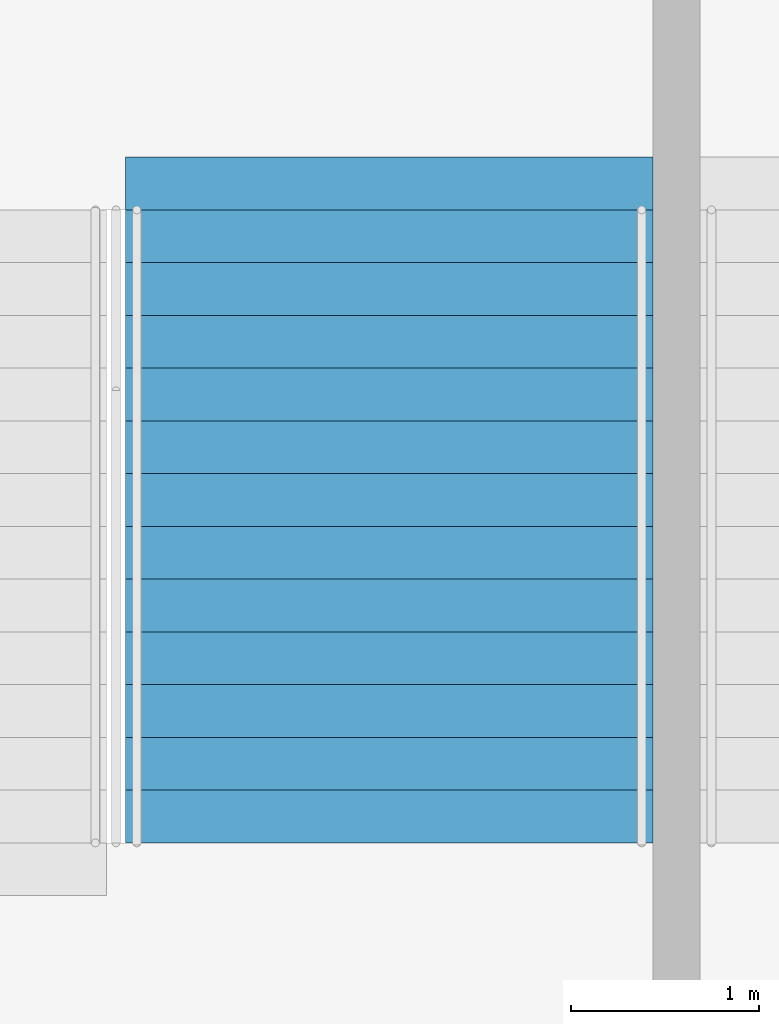
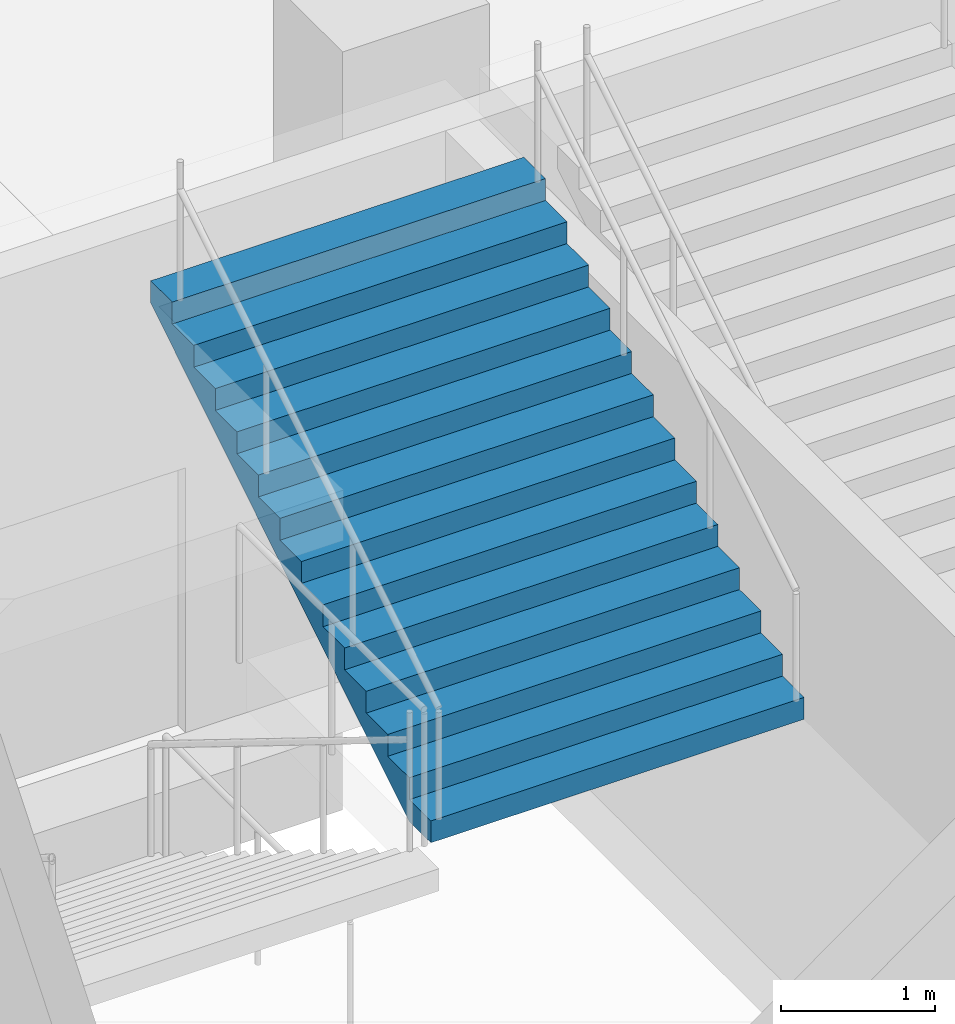
# One storey, part 121 of 199: 1 stair flight, 1 element without a shape of its own.
"""IFC4 building model written with IfcOpenShell, lengths in metres."""

from ifc_helpers import new_model, si_unit, direction, frame, origin, place, context, subcontext, project, spatial, faceted_brep, material, type_object, element, aggregate, save


model = new_model("IFC4")

# Units and contexts
model_context = context("Model", 3, precision=1e-05, world=origin(), true_north=direction((0.0, 1.0)))
body_context = subcontext(model_context, "Body", "Model", "MODEL_VIEW")
ifc_project = project(units=[si_unit("LENGTHUNIT", "METRE"), si_unit("AREAUNIT", "SQUARE_METRE"), si_unit("VOLUMEUNIT", "CUBIC_METRE"), si_unit("PLANEANGLEUNIT", "RADIAN"), si_unit("MASSUNIT", "GRAM", prefix="KILO")], contexts=[model_context])

# Site, building, storey
site_placement = place(None, origin())
site = spatial("IfcSite", under=ifc_project, at=site_placement, CompositionType="ELEMENT")
building_placement = place(site_placement, origin())
building = spatial("IfcBuilding", under=site, at=building_placement, Name="Ogive Plaza Stadium", CompositionType="ELEMENT")
storey_placement = place(building_placement, frame((0.0, 0.0, 4.5)))
storey = spatial("IfcBuildingStorey", under=building, at=storey_placement, Name="L01", CompositionType="ELEMENT", Elevation=4.5)

# Stair, stair flight
ifc_material_1 = material(Name="Concrete C40/50", Category="concrete")
stair_type = type_object("IfcStairType", Name="Exit stair", PredefinedType="STRAIGHT_RUN_STAIR", material=ifc_material_1)
stair_placement = place(storey_placement, origin())
stair = element("IfcStair", 1, at=stair_placement, inside=storey, type_object=stair_type, Name="Exit stair ST14A L01 to L02", PredefinedType="STRAIGHT_RUN_STAIR")
ifc_material_2 = material(Name="Concrete C40/50", Category="concrete")
stair_flight_type = type_object("IfcStairFlightType", Name="Exit stair flight", PredefinedType="STRAIGHT", material=ifc_material_2)
stair_flight_placement = place(storey_placement, frame((5.27490234375, -98.2099609375, 2.25), z_axis=(0.0, 0.0, 1.0), x_axis=(0.0, 1.0, 0.0)))
stair_flight = element("IfcStairFlight", 2, at=stair_flight_placement, type_object=stair_flight_type, Name="ST14A flight 2", NumberOfRisers=13, NumberOfTreads=12, PredefinedType="STRAIGHT", RiserHeight=0.173076923, TreadLength=0.28, context=body_context, shape_type="Brep", body=[
    faceted_brep([(0.28515625, -1.39990234375, 0.0), (3.639892578125, -1.39990234375, 2.07373046875), (3.639892578125, -1.39990234375, 2.25), (3.360107421875, -1.39990234375, 2.25), (3.360107421875, -1.39990234375, 2.076904296875), (3.080078125, -1.39990234375, 2.076904296875), (3.080078125, -1.39990234375, 1.90380859375), (2.800048828125, -1.39990234375, 1.90380859375), (2.800048828125, -1.39990234375, 1.730712890625), (2.52001953125, -1.39990234375, 1.730712890625), (2.52001953125, -1.39990234375, 1.5576171875), (2.239990234375, -1.39990234375, 1.5576171875), (2.239990234375, -1.39990234375, 1.384521484375), (1.9599609375, -1.39990234375, 1.384521484375), (1.9599609375, -1.39990234375, 1.21142578125), (1.679931640625, -1.39990234375, 1.21142578125), (1.679931640625, -1.39990234375, 1.03857421875), (1.39990234375, -1.39990234375, 1.03857421875), (1.39990234375, -1.39990234375, 0.865478515625), (1.1201171875, -1.39990234375, 0.865478515625), (1.1201171875, -1.39990234375, 0.6923828125), (0.840087890625, -1.39990234375, 0.6923828125), (0.840087890625, -1.39990234375, 0.519287109375), (0.56005859375, -1.39990234375, 0.519287109375), (0.56005859375, -1.39990234375, 0.34619140625), (0.280029296875, -1.39990234375, 0.34619140625), (0.280029296875, -1.39990234375, 0.173095703125), (0.0, -1.39990234375, 0.173095703125), (0.0, -1.39990234375, 0.0), (0.0, 1.39990234375, 0.0), (0.0, 1.39990234375, 0.173095703125), (0.280029296875, 1.39990234375, 0.173095703125), (0.280029296875, 1.39990234375, 0.34619140625), (0.56005859375, 1.39990234375, 0.34619140625), (0.56005859375, 1.39990234375, 0.519287109375), (0.840087890625, 1.39990234375, 0.519287109375), (0.840087890625, 1.39990234375, 0.6923828125), (1.1201171875, 1.39990234375, 0.6923828125), (1.1201171875, 1.39990234375, 0.865478515625), (1.39990234375, 1.39990234375, 0.865478515625), (1.39990234375, 1.39990234375, 1.03857421875), (1.679931640625, 1.39990234375, 1.03857421875), (1.679931640625, 1.39990234375, 1.21142578125), (1.9599609375, 1.39990234375, 1.21142578125), (1.9599609375, 1.39990234375, 1.384521484375), (2.239990234375, 1.39990234375, 1.384521484375), (2.239990234375, 1.39990234375, 1.5576171875), (2.52001953125, 1.39990234375, 1.5576171875), (2.52001953125, 1.39990234375, 1.730712890625), (2.800048828125, 1.39990234375, 1.730712890625), (2.800048828125, 1.39990234375, 1.90380859375), (3.080078125, 1.39990234375, 1.90380859375), (3.080078125, 1.39990234375, 2.076904296875), (3.360107421875, 1.39990234375, 2.076904296875), (3.360107421875, 1.39990234375, 2.25), (3.639892578125, 1.39990234375, 2.25), (3.639892578125, 1.39990234375, 2.07373046875), (0.28515625, 1.39990234375, 0.0), (0.28515625, -1.0888671875, 0.0), (3.639892578125, -1.0888671875, 2.07373046875), (0.28515625, -0.77783203125, 0.0), (3.639892578125, -0.77783203125, 2.07373046875), (0.28515625, -0.466796875, 0.0), (3.639892578125, -0.466796875, 2.07373046875), (0.28515625, -0.155517578125, 0.0), (3.639892578125, -0.155517578125, 2.07373046875), (0.28515625, 0.155517578125, 0.0), (3.639892578125, 0.155517578125, 2.07373046875), (0.28515625, 0.466796875, 0.0), (3.639892578125, 0.466796875, 2.07373046875), (0.28515625, 0.77783203125, 0.0), (3.639892578125, 0.77783203125, 2.07373046875), (0.28515625, 1.0888671875, 0.0), (3.639892578125, 1.0888671875, 2.07373046875), (3.639892578125, -1.0888671875, 2.25), (3.639892578125, -0.77783203125, 2.25), (3.639892578125, -0.466796875, 2.25), (3.639892578125, -0.155517578125, 2.25), (3.639892578125, 0.155517578125, 2.25), (3.639892578125, 0.466796875, 2.25), (3.639892578125, 0.77783203125, 2.25), (3.639892578125, 1.0888671875, 2.25), (3.360107421875, -1.0888671875, 2.25), (3.360107421875, -0.77783203125, 2.25), (3.360107421875, -0.466796875, 2.25), (3.360107421875, -0.155517578125, 2.25), (3.360107421875, 0.155517578125, 2.25), (3.360107421875, 0.466796875, 2.25), (3.360107421875, 0.77783203125, 2.25), (3.360107421875, 1.0888671875, 2.25), (3.360107421875, -1.0888671875, 2.076904296875), (3.360107421875, -0.77783203125, 2.076904296875), (3.360107421875, -0.466796875, 2.076904296875), (3.360107421875, -0.155517578125, 2.076904296875), (3.360107421875, 0.155517578125, 2.076904296875), (3.360107421875, 0.466796875, 2.076904296875), (3.360107421875, 0.77783203125, 2.076904296875), (3.360107421875, 1.0888671875, 2.076904296875), (3.080078125, -1.0888671875, 2.076904296875), (3.080078125, -0.77783203125, 2.076904296875), (3.080078125, -0.466796875, 2.076904296875), (3.080078125, -0.155517578125, 2.076904296875), (3.080078125, 0.155517578125, 2.076904296875), (3.080078125, 0.466796875, 2.076904296875), (3.080078125, 0.77783203125, 2.076904296875), (3.080078125, 1.0888671875, 2.076904296875), (3.080078125, -1.0888671875, 1.90380859375), (3.080078125, -0.77783203125, 1.90380859375), (3.080078125, -0.466796875, 1.90380859375), (3.080078125, -0.155517578125, 1.90380859375), (3.080078125, 0.155517578125, 1.90380859375), (3.080078125, 0.466796875, 1.90380859375), (3.080078125, 0.77783203125, 1.90380859375), (3.080078125, 1.0888671875, 1.90380859375), (2.800048828125, -1.0888671875, 1.90380859375), (2.800048828125, -0.77783203125, 1.90380859375), (2.800048828125, -0.466796875, 1.90380859375), (2.800048828125, -0.155517578125, 1.90380859375), (2.800048828125, 0.155517578125, 1.90380859375), (2.800048828125, 0.466796875, 1.90380859375), (2.800048828125, 0.77783203125, 1.90380859375), (2.800048828125, 1.0888671875, 1.90380859375), (2.800048828125, -1.0888671875, 1.730712890625), (2.800048828125, -0.77783203125, 1.730712890625), (2.800048828125, -0.466796875, 1.730712890625), (2.800048828125, -0.155517578125, 1.730712890625), (2.800048828125, 0.155517578125, 1.730712890625), (2.800048828125, 0.466796875, 1.730712890625), (2.800048828125, 0.77783203125, 1.730712890625), (2.800048828125, 1.0888671875, 1.730712890625), (2.52001953125, -1.0888671875, 1.730712890625), (2.52001953125, -0.77783203125, 1.730712890625), (2.52001953125, -0.466796875, 1.730712890625), (2.52001953125, -0.155517578125, 1.730712890625), (2.52001953125, 0.155517578125, 1.730712890625), (2.52001953125, 0.466796875, 1.730712890625), (2.52001953125, 0.77783203125, 1.730712890625), (2.52001953125, 1.0888671875, 1.730712890625), (2.52001953125, -1.0888671875, 1.5576171875), (2.52001953125, -0.77783203125, 1.5576171875), (2.52001953125, -0.466796875, 1.5576171875), (2.52001953125, -0.155517578125, 1.5576171875), (2.52001953125, 0.155517578125, 1.5576171875), (2.52001953125, 0.466796875, 1.5576171875), (2.52001953125, 0.77783203125, 1.5576171875), (2.52001953125, 1.0888671875, 1.5576171875), (2.239990234375, -1.0888671875, 1.5576171875), (2.239990234375, -0.77783203125, 1.5576171875), (2.239990234375, -0.466796875, 1.5576171875), (2.239990234375, -0.155517578125, 1.5576171875), (2.239990234375, 0.155517578125, 1.5576171875), (2.239990234375, 0.466796875, 1.5576171875), (2.239990234375, 0.77783203125, 1.5576171875), (2.239990234375, 1.0888671875, 1.5576171875), (2.239990234375, -1.0888671875, 1.384521484375), (2.239990234375, -0.77783203125, 1.384521484375), (2.239990234375, -0.466796875, 1.384521484375), (2.239990234375, -0.155517578125, 1.384521484375), (2.239990234375, 0.155517578125, 1.384521484375), (2.239990234375, 0.466796875, 1.384521484375), (2.239990234375, 0.77783203125, 1.384521484375), (2.239990234375, 1.0888671875, 1.384521484375), (1.9599609375, -1.0888671875, 1.384521484375), (1.9599609375, -0.77783203125, 1.384521484375), (1.9599609375, -0.466796875, 1.384521484375), (1.9599609375, -0.155517578125, 1.384521484375), (1.9599609375, 0.155517578125, 1.384521484375), (1.9599609375, 0.466796875, 1.384521484375), (1.9599609375, 0.77783203125, 1.384521484375), (1.9599609375, 1.0888671875, 1.384521484375), (1.9599609375, -1.0888671875, 1.21142578125), (1.9599609375, -0.77783203125, 1.21142578125), (1.9599609375, -0.466796875, 1.21142578125), (1.9599609375, -0.155517578125, 1.21142578125), (1.9599609375, 0.155517578125, 1.21142578125), (1.9599609375, 0.466796875, 1.21142578125), (1.9599609375, 0.77783203125, 1.21142578125), (1.9599609375, 1.0888671875, 1.21142578125), (1.679931640625, -1.0888671875, 1.21142578125), (1.679931640625, -0.77783203125, 1.21142578125), (1.679931640625, -0.466796875, 1.21142578125), (1.679931640625, -0.155517578125, 1.21142578125), (1.679931640625, 0.155517578125, 1.21142578125), (1.679931640625, 0.466796875, 1.21142578125), (1.679931640625, 0.77783203125, 1.21142578125), (1.679931640625, 1.0888671875, 1.21142578125), (1.679931640625, -1.0888671875, 1.03857421875), (1.679931640625, -0.77783203125, 1.03857421875), (1.679931640625, -0.466796875, 1.03857421875), (1.679931640625, -0.155517578125, 1.03857421875), (1.679931640625, 0.155517578125, 1.03857421875), (1.679931640625, 0.466796875, 1.03857421875), (1.679931640625, 0.77783203125, 1.03857421875), (1.679931640625, 1.0888671875, 1.03857421875), (1.39990234375, -1.0888671875, 1.03857421875), (1.39990234375, -0.77783203125, 1.03857421875), (1.39990234375, -0.466796875, 1.03857421875), (1.39990234375, -0.155517578125, 1.03857421875), (1.39990234375, 0.155517578125, 1.03857421875), (1.39990234375, 0.466796875, 1.03857421875), (1.39990234375, 0.77783203125, 1.03857421875), (1.39990234375, 1.0888671875, 1.03857421875), (1.39990234375, -1.0888671875, 0.865478515625), (1.39990234375, -0.77783203125, 0.865478515625), (1.39990234375, -0.466796875, 0.865478515625), (1.39990234375, -0.155517578125, 0.865478515625), (1.39990234375, 0.155517578125, 0.865478515625), (1.39990234375, 0.466796875, 0.865478515625), (1.39990234375, 0.77783203125, 0.865478515625), (1.39990234375, 1.0888671875, 0.865478515625), (1.1201171875, -1.0888671875, 0.865478515625), (1.1201171875, -0.77783203125, 0.865478515625), (1.1201171875, -0.466796875, 0.865478515625), (1.1201171875, -0.155517578125, 0.865478515625), (1.1201171875, 0.155517578125, 0.865478515625), (1.1201171875, 0.466796875, 0.865478515625), (1.1201171875, 0.77783203125, 0.865478515625), (1.1201171875, 1.0888671875, 0.865478515625), (1.1201171875, -1.0888671875, 0.6923828125), (1.1201171875, -0.77783203125, 0.6923828125), (1.1201171875, -0.466796875, 0.6923828125), (1.1201171875, -0.155517578125, 0.6923828125), (1.1201171875, 0.155517578125, 0.6923828125), (1.1201171875, 0.466796875, 0.6923828125), (1.1201171875, 0.77783203125, 0.6923828125), (1.1201171875, 1.0888671875, 0.6923828125), (0.840087890625, -1.0888671875, 0.6923828125), (0.840087890625, -0.77783203125, 0.6923828125), (0.840087890625, -0.466796875, 0.6923828125), (0.840087890625, -0.155517578125, 0.6923828125), (0.840087890625, 0.155517578125, 0.6923828125), (0.840087890625, 0.466796875, 0.6923828125), (0.840087890625, 0.77783203125, 0.6923828125), (0.840087890625, 1.0888671875, 0.6923828125), (0.840087890625, -1.0888671875, 0.519287109375), (0.840087890625, -0.77783203125, 0.519287109375), (0.840087890625, -0.466796875, 0.519287109375), (0.840087890625, -0.155517578125, 0.519287109375), (0.840087890625, 0.155517578125, 0.519287109375), (0.840087890625, 0.466796875, 0.519287109375), (0.840087890625, 0.77783203125, 0.519287109375), (0.840087890625, 1.0888671875, 0.519287109375), (0.56005859375, -1.0888671875, 0.519287109375), (0.56005859375, -0.77783203125, 0.519287109375), (0.56005859375, -0.466796875, 0.519287109375), (0.56005859375, -0.155517578125, 0.519287109375), (0.56005859375, 0.155517578125, 0.519287109375), (0.56005859375, 0.466796875, 0.519287109375), (0.56005859375, 0.77783203125, 0.519287109375), (0.56005859375, 1.0888671875, 0.519287109375), (0.56005859375, -1.0888671875, 0.34619140625), (0.56005859375, -0.77783203125, 0.34619140625), (0.56005859375, -0.466796875, 0.34619140625), (0.56005859375, -0.155517578125, 0.34619140625), (0.56005859375, 0.155517578125, 0.34619140625), (0.56005859375, 0.466796875, 0.34619140625), (0.56005859375, 0.77783203125, 0.34619140625), (0.56005859375, 1.0888671875, 0.34619140625), (0.280029296875, -1.0888671875, 0.34619140625), (0.280029296875, -0.77783203125, 0.34619140625), (0.280029296875, -0.466796875, 0.34619140625), (0.280029296875, -0.155517578125, 0.34619140625), (0.280029296875, 0.155517578125, 0.34619140625), (0.280029296875, 0.466796875, 0.34619140625), (0.280029296875, 0.77783203125, 0.34619140625), (0.280029296875, 1.0888671875, 0.34619140625), (0.280029296875, -1.0888671875, 0.173095703125), (0.280029296875, -0.77783203125, 0.173095703125), (0.280029296875, -0.466796875, 0.173095703125), (0.280029296875, -0.155517578125, 0.173095703125), (0.280029296875, 0.155517578125, 0.173095703125), (0.280029296875, 0.466796875, 0.173095703125), (0.280029296875, 0.77783203125, 0.173095703125), (0.280029296875, 1.0888671875, 0.173095703125), (0.0, -1.0888671875, 0.173095703125), (0.0, -0.77783203125, 0.173095703125), (0.0, -0.466796875, 0.173095703125), (0.0, -0.155517578125, 0.173095703125), (0.0, 0.155517578125, 0.173095703125), (0.0, 0.466796875, 0.173095703125), (0.0, 0.77783203125, 0.173095703125), (0.0, 1.0888671875, 0.173095703125), (0.0, -1.0888671875, 0.0), (0.0, -0.77783203125, 0.0), (0.0, -0.466796875, 0.0), (0.0, -0.155517578125, 0.0), (0.0, 0.155517578125, 0.0), (0.0, 0.466796875, 0.0), (0.0, 0.77783203125, 0.0), (0.0, 1.0888671875, 0.0)], [[[0, 1, 2, 3, 4, 5, 6, 7, 8, 9, 10, 11, 12, 13, 14, 15, 16, 17, 18, 19, 20, 21, 22, 23, 24, 25, 26, 27, 28]], [[29, 30, 31, 32, 33, 34, 35, 36, 37, 38, 39, 40, 41, 42, 43, 44, 45, 46, 47, 48, 49, 50, 51, 52, 53, 54, 55, 56, 57]], [[0, 58, 59, 1]], [[58, 60, 61, 59]], [[60, 62, 63, 61]], [[62, 64, 65, 63]], [[64, 66, 67, 65]], [[66, 68, 69, 67]], [[68, 70, 71, 69]], [[70, 72, 73, 71]], [[72, 57, 56, 73]], [[1, 59, 74, 2]], [[59, 61, 75, 74]], [[61, 63, 76, 75]], [[63, 65, 77, 76]], [[65, 67, 78, 77]], [[67, 69, 79, 78]], [[69, 71, 80, 79]], [[71, 73, 81, 80]], [[73, 56, 55, 81]], [[2, 74, 82, 3]], [[74, 75, 83, 82]], [[75, 76, 84, 83]], [[76, 77, 85, 84]], [[77, 78, 86, 85]], [[78, 79, 87, 86]], [[79, 80, 88, 87]], [[80, 81, 89, 88]], [[81, 55, 54, 89]], [[3, 82, 90, 4]], [[82, 83, 91, 90]], [[83, 84, 92, 91]], [[84, 85, 93, 92]], [[85, 86, 94, 93]], [[86, 87, 95, 94]], [[87, 88, 96, 95]], [[88, 89, 97, 96]], [[89, 54, 53, 97]], [[4, 90, 98, 5]], [[90, 91, 99, 98]], [[91, 92, 100, 99]], [[92, 93, 101, 100]], [[93, 94, 102, 101]], [[94, 95, 103, 102]], [[95, 96, 104, 103]], [[96, 97, 105, 104]], [[97, 53, 52, 105]], [[5, 98, 106, 6]], [[98, 99, 107, 106]], [[99, 100, 108, 107]], [[100, 101, 109, 108]], [[101, 102, 110, 109]], [[102, 103, 111, 110]], [[103, 104, 112, 111]], [[104, 105, 113, 112]], [[105, 52, 51, 113]], [[6, 106, 114, 7]], [[106, 107, 115, 114]], [[107, 108, 116, 115]], [[108, 109, 117, 116]], [[109, 110, 118, 117]], [[110, 111, 119, 118]], [[111, 112, 120, 119]], [[112, 113, 121, 120]], [[113, 51, 50, 121]], [[7, 114, 122, 8]], [[114, 115, 123, 122]], [[115, 116, 124, 123]], [[116, 117, 125, 124]], [[117, 118, 126, 125]], [[118, 119, 127, 126]], [[119, 120, 128, 127]], [[120, 121, 129, 128]], [[121, 50, 49, 129]], [[8, 122, 130, 9]], [[122, 123, 131, 130]], [[123, 124, 132, 131]], [[124, 125, 133, 132]], [[125, 126, 134, 133]], [[126, 127, 135, 134]], [[127, 128, 136, 135]], [[128, 129, 137, 136]], [[129, 49, 48, 137]], [[9, 130, 138, 10]], [[130, 131, 139, 138]], [[131, 132, 140, 139]], [[132, 133, 141, 140]], [[133, 134, 142, 141]], [[134, 135, 143, 142]], [[135, 136, 144, 143]], [[136, 137, 145, 144]], [[137, 48, 47, 145]], [[10, 138, 146, 11]], [[138, 139, 147, 146]], [[139, 140, 148, 147]], [[140, 141, 149, 148]], [[141, 142, 150, 149]], [[142, 143, 151, 150]], [[143, 144, 152, 151]], [[144, 145, 153, 152]], [[145, 47, 46, 153]], [[11, 146, 154, 12]], [[146, 147, 155, 154]], [[147, 148, 156, 155]], [[148, 149, 157, 156]], [[149, 150, 158, 157]], [[150, 151, 159, 158]], [[151, 152, 160, 159]], [[152, 153, 161, 160]], [[153, 46, 45, 161]], [[12, 154, 162, 13]], [[154, 155, 163, 162]], [[155, 156, 164, 163]], [[156, 157, 165, 164]], [[157, 158, 166, 165]], [[158, 159, 167, 166]], [[159, 160, 168, 167]], [[160, 161, 169, 168]], [[161, 45, 44, 169]], [[13, 162, 170, 14]], [[162, 163, 171, 170]], [[163, 164, 172, 171]], [[164, 165, 173, 172]], [[165, 166, 174, 173]], [[166, 167, 175, 174]], [[167, 168, 176, 175]], [[168, 169, 177, 176]], [[169, 44, 43, 177]], [[14, 170, 178, 15]], [[170, 171, 179, 178]], [[171, 172, 180, 179]], [[172, 173, 181, 180]], [[173, 174, 182, 181]], [[174, 175, 183, 182]], [[175, 176, 184, 183]], [[176, 177, 185, 184]], [[177, 43, 42, 185]], [[15, 178, 186, 16]], [[178, 179, 187, 186]], [[179, 180, 188, 187]], [[180, 181, 189, 188]], [[181, 182, 190, 189]], [[182, 183, 191, 190]], [[183, 184, 192, 191]], [[184, 185, 193, 192]], [[185, 42, 41, 193]], [[16, 186, 194, 17]], [[186, 187, 195, 194]], [[187, 188, 196, 195]], [[188, 189, 197, 196]], [[189, 190, 198, 197]], [[190, 191, 199, 198]], [[191, 192, 200, 199]], [[192, 193, 201, 200]], [[193, 41, 40, 201]], [[17, 194, 202, 18]], [[194, 195, 203, 202]], [[195, 196, 204, 203]], [[196, 197, 205, 204]], [[197, 198, 206, 205]], [[198, 199, 207, 206]], [[199, 200, 208, 207]], [[200, 201, 209, 208]], [[201, 40, 39, 209]], [[18, 202, 210, 19]], [[202, 203, 211, 210]], [[203, 204, 212, 211]], [[204, 205, 213, 212]], [[205, 206, 214, 213]], [[206, 207, 215, 214]], [[207, 208, 216, 215]], [[208, 209, 217, 216]], [[209, 39, 38, 217]], [[19, 210, 218, 20]], [[210, 211, 219, 218]], [[211, 212, 220, 219]], [[212, 213, 221, 220]], [[213, 214, 222, 221]], [[214, 215, 223, 222]], [[215, 216, 224, 223]], [[216, 217, 225, 224]], [[217, 38, 37, 225]], [[20, 218, 226, 21]], [[218, 219, 227, 226]], [[219, 220, 228, 227]], [[220, 221, 229, 228]], [[221, 222, 230, 229]], [[222, 223, 231, 230]], [[223, 224, 232, 231]], [[224, 225, 233, 232]], [[225, 37, 36, 233]], [[21, 226, 234, 22]], [[226, 227, 235, 234]], [[227, 228, 236, 235]], [[228, 229, 237, 236]], [[229, 230, 238, 237]], [[230, 231, 239, 238]], [[231, 232, 240, 239]], [[232, 233, 241, 240]], [[233, 36, 35, 241]], [[22, 234, 242, 23]], [[234, 235, 243, 242]], [[235, 236, 244, 243]], [[236, 237, 245, 244]], [[237, 238, 246, 245]], [[238, 239, 247, 246]], [[239, 240, 248, 247]], [[240, 241, 249, 248]], [[241, 35, 34, 249]], [[23, 242, 250, 24]], [[242, 243, 251, 250]], [[243, 244, 252, 251]], [[244, 245, 253, 252]], [[245, 246, 254, 253]], [[246, 247, 255, 254]], [[247, 248, 256, 255]], [[248, 249, 257, 256]], [[249, 34, 33, 257]], [[24, 250, 258, 25]], [[250, 251, 259, 258]], [[251, 252, 260, 259]], [[252, 253, 261, 260]], [[253, 254, 262, 261]], [[254, 255, 263, 262]], [[255, 256, 264, 263]], [[256, 257, 265, 264]], [[257, 33, 32, 265]], [[25, 258, 266, 26]], [[258, 259, 267, 266]], [[259, 260, 268, 267]], [[260, 261, 269, 268]], [[261, 262, 270, 269]], [[262, 263, 271, 270]], [[263, 264, 272, 271]], [[264, 265, 273, 272]], [[265, 32, 31, 273]], [[26, 266, 274, 27]], [[266, 267, 275, 274]], [[267, 268, 276, 275]], [[268, 269, 277, 276]], [[269, 270, 278, 277]], [[270, 271, 279, 278]], [[271, 272, 280, 279]], [[272, 273, 281, 280]], [[273, 31, 30, 281]], [[27, 274, 282, 28]], [[274, 275, 283, 282]], [[275, 276, 284, 283]], [[276, 277, 285, 284]], [[277, 278, 286, 285]], [[278, 279, 287, 286]], [[279, 280, 288, 287]], [[280, 281, 289, 288]], [[281, 30, 29, 289]], [[28, 282, 58, 0]], [[282, 283, 60, 58]], [[283, 284, 62, 60]], [[284, 285, 64, 62]], [[285, 286, 66, 64]], [[286, 287, 68, 66]], [[287, 288, 70, 68]], [[288, 289, 72, 70]], [[289, 29, 57, 72]]]),
])
aggregate(stair, [stair_flight])

save(model, "model.ifc")
